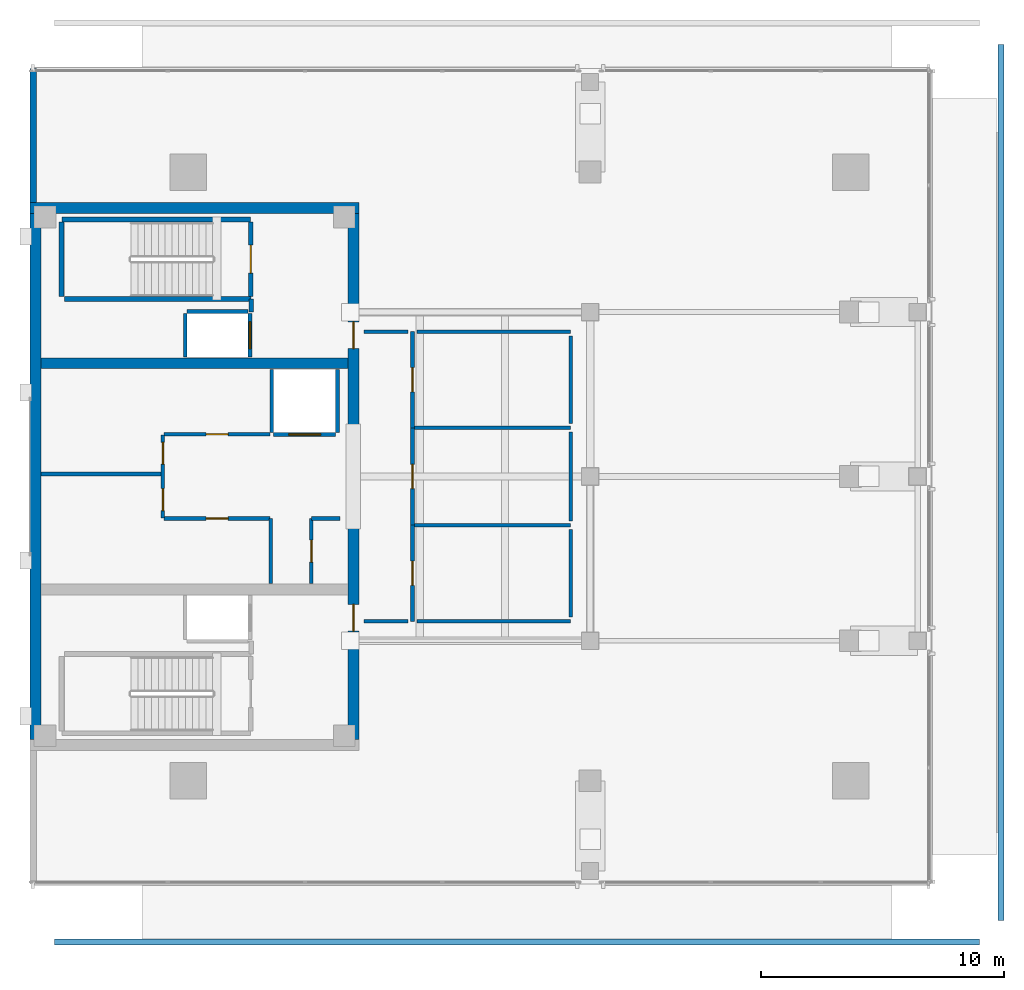
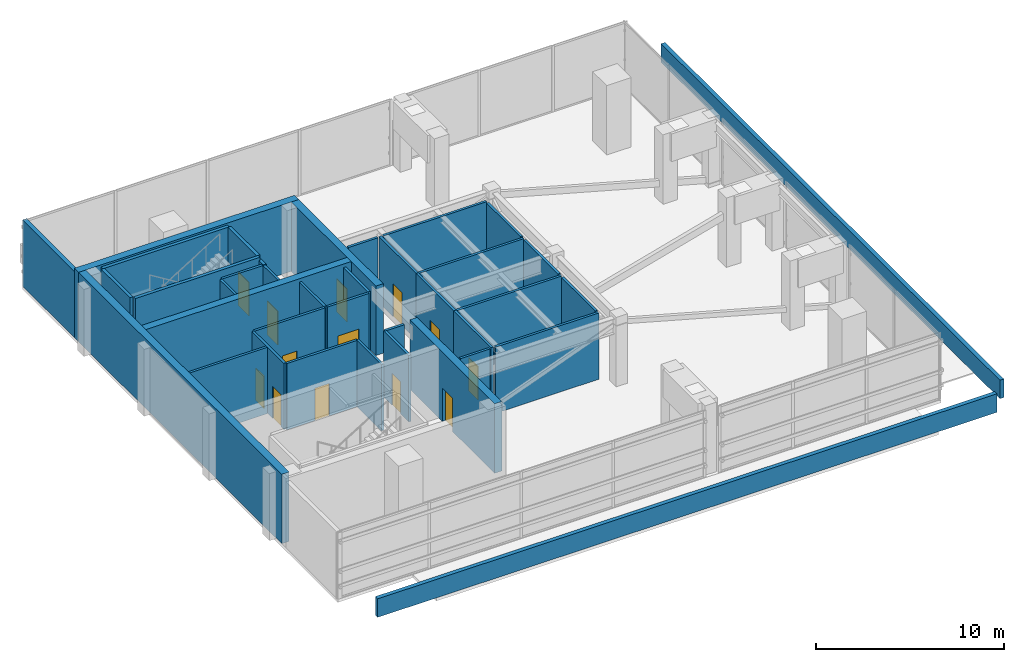
# One storey, part 8 of 13: 38 walls, 13 doors, 13 openings.
"""IFC4 building model written with IfcOpenShell, lengths in metres."""

from ifc_helpers import new_model, si_unit, direction, frame, frame_2d, origin, place, context, subcontext, project, spatial, rectangle, extrude, material, layer, layer_set, type_object, element, fill, save


model = new_model("IFC4")

# Units and contexts
model_context = context("Model", 3, precision=1e-05, world=origin(), true_north=direction((0.0, 1.0)))
body_context = subcontext(model_context, "Body", "Model", "MODEL_VIEW")
ifc_project = project(units=[si_unit("LENGTHUNIT", "METRE"), si_unit("AREAUNIT", "SQUARE_METRE"), si_unit("VOLUMEUNIT", "CUBIC_METRE"), si_unit("PLANEANGLEUNIT", "RADIAN"), si_unit("MASSUNIT", "GRAM", prefix="KILO")], contexts=[model_context])

# Site, building, storey
site_placement = place(None, origin())
site = spatial("IfcSite", under=ifc_project, at=site_placement, CompositionType="ELEMENT")
building_placement = place(site_placement, origin())
building = spatial("IfcBuilding", under=site, at=building_placement, Name="Kinhvarn Gate Tower", CompositionType="ELEMENT")
storey_placement = place(building_placement, frame((0.0, 0.0, 303.050048828125)))
storey = spatial("IfcBuildingStorey", under=building, at=storey_placement, Name="L80", CompositionType="ELEMENT", Elevation=303.050048828125)

# Wall
ifc_material_1 = material(Name="Concrete C50/60", Category="concrete")
ifc_layer_1 = layer(ifc_material_1, 0.449951171875)
ifc_layer_set_1 = layer_set([ifc_layer_1], Name="Concrete C50/60")
wall_type_1 = type_object("IfcWallType", Name="WL-CORE-450", PredefinedType="SHEAR", material=ifc_layer_set_1)
wall_1_placement = place(storey_placement, frame((4.5, 36.27490234375, 0.0), z_axis=(0.0, 0.0, 1.0), x_axis=(1.0, 0.0, 0.0)))
element("IfcWall", 1, at=wall_1_placement, inside=storey, type_object=wall_type_1, Name="Core North Shear Wall L80 450 mm", PredefinedType="SHEAR", context=body_context, shape_type="SweptSolid", body=[
    extrude(rectangle(XDim=13.5, YDim=0.449951171875, at=frame_2d((6.75, 0.0))), origin(), (0.0, 0.0, 1.0), 4.5),
])

# Wall, opening, door
wall_2_placement = place(storey_placement, frame((17.77490234375, 14.449951171875, 0.0), z_axis=(0.0, 0.0, 1.0), x_axis=(0.0, 1.0, 0.0)))
wall_2 = element("IfcWall", 2, at=wall_2_placement, inside=storey, type_object=wall_type_1, Name="Core East-South Shear Pier L80 450 mm", PredefinedType="SHEAR", context=body_context, shape_type="SweptSolid", body=[
    extrude(rectangle(XDim=9.0, YDim=0.449951171875, at=frame_2d((4.5, 0.0))), origin(), (0.0, 0.0, 1.0), 4.5),
])
opening_1_placement = place(wall_2_placement, frame((4.449951171875, 0.0, 0.0)))
opening_1 = element("IfcOpeningElement", 3, at=opening_1_placement, cuts=wall_2, Name="Opening FD-02", PredefinedType="OPENING", context=body_context, shape_type="SweptSolid", body=[
    extrude(rectangle(XDim=1.10009765625, YDim=2.14990234375, at=frame_2d((0.550048828125, 1.074951171875))), frame((0.0, 0.23486328125, 0.0), z_axis=(0.0, -1.0, 0.0), x_axis=(1.0, 0.0, 0.0)), (0.0, 0.0, 1.0), 0.469970703125),
])
ifc_material_2 = material(Name="Anodised aluminium AW-6063", Category="aluminium")
door_type_1 = type_object("IfcDoorType", Name="DR-FD-1100", OperationType="NOTDEFINED", PredefinedType="DOOR", material=ifc_material_2)
door_1_placement = place(opening_1_placement, origin())
door_1 = element("IfcDoor", 4, at=door_1_placement, inside=storey, type_object=door_type_1, Name="Firefighting Lobby Core Door (L80)", OperationType="SINGLE_SWING_RIGHT", OverallHeight=2.14990234375, OverallWidth=1.10009765625, PredefinedType="DOOR", context=body_context, shape_type="SweptSolid", body=[
    extrude(rectangle(XDim=1.10009765625, YDim=2.14990234375, at=frame_2d((0.550048828125, 1.074951171875))), frame((0.0, 0.02490234375, 0.0), z_axis=(0.0, -1.0, 0.0), x_axis=(1.0, 0.0, 0.0)), (0.0, 0.0, 1.0), 0.050048828125),
])
fill(opening_1, door_1)

wall_3_placement = place(storey_placement, frame((17.77490234375, 27.050048828125, 0.0), z_axis=(0.0, 0.0, 1.0), x_axis=(0.0, 1.0, 0.0)))
wall_3 = element("IfcWall", 5, at=wall_3_placement, inside=storey, type_object=wall_type_1, Name="Core East-North Shear Pier L80 450 mm", PredefinedType="SHEAR", context=body_context, shape_type="SweptSolid", body=[
    extrude(rectangle(XDim=9.0, YDim=0.449951171875, at=frame_2d((4.5, 0.0))), origin(), (0.0, 0.0, 1.0), 4.5),
])
opening_2_placement = place(wall_3_placement, frame((3.449951171875, 0.0, 0.0)))
opening_2 = element("IfcOpeningElement", 6, at=opening_2_placement, cuts=wall_3, Name="Opening FD-02", PredefinedType="OPENING", context=body_context, shape_type="SweptSolid", body=[
    extrude(rectangle(XDim=1.10009765625, YDim=2.14990234375, at=frame_2d((0.550048828125, 1.074951171875))), frame((0.0, 0.23486328125, 0.0), z_axis=(0.0, -1.0, 0.0), x_axis=(1.0, 0.0, 0.0)), (0.0, 0.0, 1.0), 0.469970703125),
])
door_2_placement = place(opening_2_placement, origin())
door_2 = element("IfcDoor", 7, at=door_2_placement, inside=storey, type_object=door_type_1, Name="Firefighting Lobby Core Door (L80)", OperationType="SINGLE_SWING_LEFT", OverallHeight=2.14990234375, OverallWidth=1.10009765625, PredefinedType="DOOR", context=body_context, shape_type="SweptSolid", body=[
    extrude(rectangle(XDim=1.10009765625, YDim=2.14990234375, at=frame_2d((0.550048828125, 1.074951171875))), frame((0.0, 0.02490234375, 0.0), z_axis=(0.0, -1.0, 0.0), x_axis=(1.0, 0.0, 0.0)), (0.0, 0.0, 1.0), 0.050048828125),
])
fill(opening_2, door_2)

# Walls
wall_4_placement = place(storey_placement, frame((4.949951171875, 29.89990234375, 0.0), z_axis=(0.0, 0.0, 1.0), x_axis=(1.0, 0.0, 0.0)))
element("IfcWall", 8, at=wall_4_placement, inside=storey, type_object=wall_type_1, Name="Core North Spine Shear Wall L80 450 mm", PredefinedType="SHEAR", context=body_context, shape_type="SweptSolid", body=[
    extrude(rectangle(XDim=12.60009765625, YDim=0.449951171875, at=frame_2d((6.300048828125, 0.0))), origin(), (0.0, 0.0, 1.0), 4.5),
])
ifc_layer_2 = layer(ifc_material_1, 0.449951171875)
ifc_layer_set_2 = layer_set([ifc_layer_2], Name="Concrete C50/60")
wall_type_2 = type_object("IfcWallType", Name="WL-COREX-450", PredefinedType="SHEAR", material=ifc_layer_set_2)
wall_5_placement = place(storey_placement, frame((4.72509765625, 14.449951171875, 0.0), z_axis=(0.0, 0.0, 1.0), x_axis=(0.0, 1.0, 0.0)))
element("IfcWall", 9, at=wall_5_placement, inside=storey, type_object=wall_type_2, Name="Core West Shear Wall L80 450 mm", PredefinedType="SHEAR", context=body_context, shape_type="SweptSolid", body=[
    extrude(rectangle(XDim=21.60009765625, YDim=0.449951171875, at=frame_2d((10.800048828125, 0.0))), origin(), (0.0, 0.0, 1.0), 4.5),
])
ifc_material_3 = material(Name="Fired architectural terracotta", Category="masonry")
ifc_layer_3 = layer(ifc_material_3, 0.25)
ifc_layer_set_3 = layer_set([ifc_layer_3], Name="Fired architectural terracotta")
wall_type_3 = type_object("IfcWallType", Name="WL-EXT-250", PredefinedType="SOLIDWALL", material=ifc_layer_set_3)
wall_6_placement = place(storey_placement, frame((4.625, 42.0, 0.0), z_axis=(0.0, 0.0, 1.0), x_axis=(0.0, -1.0, 0.0)))
element("IfcWall", 10, at=wall_6_placement, inside=storey, type_object=wall_type_3, Name="Exterior Solidwall Wall EW-250 (L80 West-North)", PredefinedType="SOLIDWALL", context=body_context, shape_type="SweptSolid", body=[
    extrude(rectangle(XDim=5.5, YDim=0.25, at=frame_2d((2.75, 0.0))), origin(), (0.0, 0.0, 1.0), 4.300048828125),
])
ifc_layer_4 = layer(ifc_material_3, 0.25)
ifc_layer_set_4 = layer_set([ifc_layer_4], Name="Fired architectural terracotta")
wall_type_4 = type_object("IfcWallType", Name="WL-PAR-250", PredefinedType="PARAPET", material=ifc_layer_set_4)
wall_7_placement = place(storey_placement, frame((44.375, 7.0, 0.0), z_axis=(0.0, 0.0, 1.0), x_axis=(0.0, 1.0, 0.0)))
element("IfcWall", 11, at=wall_7_placement, inside=storey, type_object=wall_type_4, Name="Exterior Parapet Wall PRW-250 (L80 Crown-Step-Parapet-E)", PredefinedType="PARAPET", context=body_context, shape_type="SweptSolid", body=[
    extrude(rectangle(XDim=36.0, YDim=0.25, at=frame_2d((18.0, 0.0))), origin(), (0.0, 0.0, 1.0), 1.199951171875),
])
wall_8_placement = place(storey_placement, frame((5.5, 6.125, 0.0), z_axis=(0.0, 0.0, 1.0), x_axis=(1.0, 0.0, 0.0)))
element("IfcWall", 12, at=wall_8_placement, inside=storey, type_object=wall_type_4, Name="Exterior Parapet Wall PRW-250 (L80 Crown-Step-Parapet-S)", PredefinedType="PARAPET", context=body_context, shape_type="SweptSolid", body=[
    extrude(rectangle(XDim=38.0, YDim=0.25, at=frame_2d((19.0, 0.0))), origin(), (0.0, 0.0, 1.0), 1.199951171875),
])
ifc_material_4 = material(Name="Gypsum acoustic partition board")
ifc_layer_5 = layer(ifc_material_4, 0.14990234375)
ifc_layer_set_5 = layer_set([ifc_layer_5], Name="Gypsum acoustic partition board")
wall_type_5 = type_object("IfcWallType", Name="WL-PRT-150F", PredefinedType="PARTITIONING", material=ifc_layer_set_5)
wall_9_placement = place(storey_placement, frame((4.949951171875, 25.35009765625, 0.0), z_axis=(0.0, 0.0, 1.0), x_axis=(1.0, 0.0, 0.0)))
element("IfcWall", 13, at=wall_9_placement, inside=storey, type_object=wall_type_5, Name="Interior Partition PW-150F (L80)", PredefinedType="PARTITIONING", context=body_context, shape_type="SweptSolid", body=[
    extrude(rectangle(XDim=5.0, YDim=0.14990234375, at=frame_2d((2.5, 0.0))), origin(), (0.0, 0.0, 1.0), 4.300048828125),
])

# Wall, openings, doors
wall_10_placement = place(storey_placement, frame((9.949951171875, 23.550048828125, 0.0), z_axis=(0.0, 0.0, 1.0), x_axis=(0.0, 1.0, 0.0)))
wall_10 = element("IfcWall", 14, at=wall_10_placement, inside=storey, type_object=wall_type_5, Name="Interior Partition PW-150F (L80)", PredefinedType="PARTITIONING", context=body_context, shape_type="SweptSolid", body=[
    extrude(rectangle(XDim=3.39990234375, YDim=0.14990234375, at=frame_2d((1.699951171875, 0.0))), origin(), (0.0, 0.0, 1.0), 4.300048828125),
])
opening_3_placement = place(wall_10_placement, frame((0.298095703125, 0.0, 0.0)))
opening_3 = element("IfcOpeningElement", 15, at=opening_3_placement, cuts=wall_10, Name="Opening FD-04", PredefinedType="OPENING", context=body_context, shape_type="SweptSolid", body=[
    extrude(rectangle(XDim=0.89990234375, YDim=2.10009765625, at=frame_2d((0.449951171875, 1.050048828125))), frame((0.0, 0.0849609375, 0.0), z_axis=(0.0, -1.0, 0.0), x_axis=(1.0, 0.0, 0.0)), (0.0, 0.0, 1.0), 0.169921875),
])
opening_4_placement = place(wall_10_placement, frame((2.201904296875, 0.0, 0.0)))
opening_4 = element("IfcOpeningElement", 16, at=opening_4_placement, cuts=wall_10, Name="Opening FD-04", PredefinedType="OPENING", context=body_context, shape_type="SweptSolid", body=[
    extrude(rectangle(XDim=0.89990234375, YDim=2.10009765625, at=frame_2d((0.449951171875, 1.050048828125))), frame((0.0, 0.0849609375, 0.0), z_axis=(0.0, -1.0, 0.0), x_axis=(1.0, 0.0, 0.0)), (0.0, 0.0, 1.0), 0.169921875),
])
door_type_2 = type_object("IfcDoorType", Name="DR-FD-900", OperationType="NOTDEFINED", PredefinedType="DOOR", material=ifc_material_2)
door_3_placement = place(opening_3_placement, origin())
door_3 = element("IfcDoor", 17, at=door_3_placement, inside=storey, type_object=door_type_2, Name="Rated Riser & Service Closet Fire Door 900x2100 mm (L80)", OperationType="SINGLE_SWING_LEFT", OverallHeight=2.10009765625, OverallWidth=0.89990234375, PredefinedType="DOOR", context=body_context, shape_type="SweptSolid", body=[
    extrude(rectangle(XDim=0.89990234375, YDim=2.10009765625, at=frame_2d((0.449951171875, 1.050048828125))), frame((0.0, 0.02490234375, 0.0), z_axis=(0.0, -1.0, 0.0), x_axis=(1.0, 0.0, 0.0)), (0.0, 0.0, 1.0), 0.050048828125),
])
fill(opening_3, door_3)
door_4_placement = place(opening_4_placement, origin())
door_4 = element("IfcDoor", 18, at=door_4_placement, inside=storey, type_object=door_type_2, Name="Rated Riser & Service Closet Fire Door 900x2100 mm (L80)", OperationType="SINGLE_SWING_RIGHT", OverallHeight=2.10009765625, OverallWidth=0.89990234375, PredefinedType="DOOR", context=body_context, shape_type="SweptSolid", body=[
    extrude(rectangle(XDim=0.89990234375, YDim=2.10009765625, at=frame_2d((0.449951171875, 1.050048828125))), frame((0.0, 0.02490234375, 0.0), z_axis=(0.0, -1.0, 0.0), x_axis=(1.0, 0.0, 0.0)), (0.0, 0.0, 1.0), 0.050048828125),
])
fill(opening_4, door_4)

# Wall, opening, door
wall_11_placement = place(storey_placement, frame((10.0, 23.52001953125, 0.0), z_axis=(0.0, 0.0, 1.0), x_axis=(1.0, 0.0, 0.0)))
wall_11 = element("IfcWall", 19, at=wall_11_placement, inside=storey, type_object=wall_type_5, Name="Interior Partition PW-150F (L80)", PredefinedType="PARTITIONING", context=body_context, shape_type="SweptSolid", body=[
    extrude(rectangle(XDim=4.35009765625, YDim=0.14990234375, at=frame_2d((2.175048828125, 0.0))), origin(), (0.0, 0.0, 1.0), 4.300048828125),
])
opening_5_placement = place(wall_11_placement, frame((1.72509765625, 0.0, 0.0)))
opening_5 = element("IfcOpeningElement", 20, at=opening_5_placement, cuts=wall_11, Name="Opening FD-04", PredefinedType="OPENING", context=body_context, shape_type="SweptSolid", body=[
    extrude(rectangle(XDim=0.89990234375, YDim=2.10009765625, at=frame_2d((0.449951171875, 1.050048828125))), frame((0.0, 0.0849609375, 0.0), z_axis=(0.0, -1.0, 0.0), x_axis=(1.0, 0.0, 0.0)), (0.0, 0.0, 1.0), 0.169921875),
])
door_5_placement = place(opening_5_placement, origin())
door_5 = element("IfcDoor", 21, at=door_5_placement, inside=storey, type_object=door_type_2, Name="Rated Riser & Service Closet Fire Door 900x2100 mm (L80)", OperationType="SINGLE_SWING_LEFT", OverallHeight=2.10009765625, OverallWidth=0.89990234375, PredefinedType="DOOR", context=body_context, shape_type="SweptSolid", body=[
    extrude(rectangle(XDim=0.89990234375, YDim=2.10009765625, at=frame_2d((0.449951171875, 1.050048828125))), frame((0.0, 0.02490234375, 0.0), z_axis=(0.0, -1.0, 0.0), x_axis=(1.0, 0.0, 0.0)), (0.0, 0.0, 1.0), 0.050048828125),
])
fill(opening_5, door_5)

wall_12_placement = place(storey_placement, frame((10.0, 26.97998046875, 0.0), z_axis=(0.0, 0.0, 1.0), x_axis=(1.0, 0.0, 0.0)))
wall_12 = element("IfcWall", 22, at=wall_12_placement, inside=storey, type_object=wall_type_5, Name="Interior Partition PW-150F (L80)", PredefinedType="PARTITIONING", context=body_context, shape_type="SweptSolid", body=[
    extrude(rectangle(XDim=4.35009765625, YDim=0.14990234375, at=frame_2d((2.175048828125, 0.0))), origin(), (0.0, 0.0, 1.0), 4.300048828125),
])
opening_6_placement = place(wall_12_placement, frame((1.72509765625, 0.0, 0.0)))
opening_6 = element("IfcOpeningElement", 23, at=opening_6_placement, cuts=wall_12, Name="Opening FD-04", PredefinedType="OPENING", context=body_context, shape_type="SweptSolid", body=[
    extrude(rectangle(XDim=0.89990234375, YDim=2.10009765625, at=frame_2d((0.449951171875, 1.050048828125))), frame((0.0, 0.0849609375, 0.0), z_axis=(0.0, -1.0, 0.0), x_axis=(1.0, 0.0, 0.0)), (0.0, 0.0, 1.0), 0.169921875),
])
door_6_placement = place(opening_6_placement, origin())
door_6 = element("IfcDoor", 24, at=door_6_placement, inside=storey, type_object=door_type_2, Name="Rated Riser & Service Closet Fire Door 900x2100 mm (L80)", OperationType="SINGLE_SWING_RIGHT", OverallHeight=2.10009765625, OverallWidth=0.89990234375, PredefinedType="DOOR", context=body_context, shape_type="SweptSolid", body=[
    extrude(rectangle(XDim=0.89990234375, YDim=2.10009765625, at=frame_2d((0.449951171875, 1.050048828125))), frame((0.0, 0.02490234375, 0.0), z_axis=(0.0, -1.0, 0.0), x_axis=(1.0, 0.0, 0.0)), (0.0, 0.0, 1.0), 0.050048828125),
])
fill(opening_6, door_6)

# Wall
wall_13_placement = place(storey_placement, frame((14.3798828125, 20.85009765625, 0.0), z_axis=(0.0, 0.0, 1.0), x_axis=(0.0, 1.0, 0.0)))
element("IfcWall", 25, at=wall_13_placement, inside=storey, type_object=wall_type_5, Name="Interior Partition PW-150F (L80)", PredefinedType="PARTITIONING", context=body_context, shape_type="SweptSolid", body=[
    extrude(rectangle(XDim=2.669921875, YDim=0.14990234375, at=frame_2d((1.3349609375, 0.0))), origin(), (0.0, 0.0, 1.0), 4.300048828125),
])

# Wall, opening, door
wall_14_placement = place(storey_placement, frame((16.050048828125, 20.85009765625, 0.0), z_axis=(0.0, 0.0, 1.0), x_axis=(0.0, 1.0, 0.0)))
wall_14 = element("IfcWall", 26, at=wall_14_placement, inside=storey, type_object=wall_type_5, Name="Interior Partition PW-150F (L80)", PredefinedType="PARTITIONING", context=body_context, shape_type="SweptSolid", body=[
    extrude(rectangle(XDim=2.669921875, YDim=0.14990234375, at=frame_2d((1.3349609375, 0.0))), origin(), (0.0, 0.0, 1.0), 4.300048828125),
])
opening_7_placement = place(wall_14_placement, frame((0.885009765625, 0.0, 0.0)))
opening_7 = element("IfcOpeningElement", 27, at=opening_7_placement, cuts=wall_14, Name="Opening FD-04", PredefinedType="OPENING", context=body_context, shape_type="SweptSolid", body=[
    extrude(rectangle(XDim=0.89990234375, YDim=2.10009765625, at=frame_2d((0.449951171875, 1.050048828125))), frame((0.0, 0.0849609375, 0.0), z_axis=(0.0, -1.0, 0.0), x_axis=(1.0, 0.0, 0.0)), (0.0, 0.0, 1.0), 0.169921875),
])
door_7_placement = place(opening_7_placement, origin())
door_7 = element("IfcDoor", 28, at=door_7_placement, inside=storey, type_object=door_type_2, Name="Rated Riser & Service Closet Fire Door 900x2100 mm (L80)", OperationType="SINGLE_SWING_LEFT", OverallHeight=2.10009765625, OverallWidth=0.89990234375, PredefinedType="DOOR", context=body_context, shape_type="SweptSolid", body=[
    extrude(rectangle(XDim=0.89990234375, YDim=2.10009765625, at=frame_2d((0.449951171875, 1.050048828125))), frame((0.0, 0.02490234375, 0.0), z_axis=(0.0, -1.0, 0.0), x_axis=(1.0, 0.0, 0.0)), (0.0, 0.0, 1.0), 0.050048828125),
])
fill(opening_7, door_7)

# Wall
wall_15_placement = place(storey_placement, frame((16.050048828125, 23.52001953125, 0.0), z_axis=(0.0, 0.0, 1.0), x_axis=(1.0, 0.0, 0.0)))
element("IfcWall", 29, at=wall_15_placement, inside=storey, type_object=wall_type_5, Name="Interior Partition PW-150F (L80)", PredefinedType="PARTITIONING", context=body_context, shape_type="SweptSolid", body=[
    extrude(rectangle(XDim=1.169921875, YDim=0.14990234375, at=frame_2d((0.5849609375, 0.0))), origin(), (0.0, 0.0, 1.0), 4.300048828125),
])

# Wall, opening, door
wall_16_placement = place(storey_placement, frame((20.199951171875, 19.300048828125, 0.0), z_axis=(0.0, 0.0, 1.0), x_axis=(0.0, 1.0, 0.0)))
wall_16 = element("IfcWall", 30, at=wall_16_placement, inside=storey, type_object=wall_type_5, Name="Interior Partition PW-150F (L80)", PredefinedType="PARTITIONING", context=body_context, shape_type="SweptSolid", body=[
    extrude(rectangle(XDim=3.949951171875, YDim=0.14990234375, at=frame_2d((1.97509765625, 0.0))), origin(), (0.0, 0.0, 1.0), 4.300048828125),
])
opening_8_placement = place(wall_16_placement, frame((1.47509765625, 0.0, 0.0)))
opening_8 = element("IfcOpeningElement", 31, at=opening_8_placement, cuts=wall_16, Name="Opening FD-03", PredefinedType="OPENING", context=body_context, shape_type="SweptSolid", body=[
    extrude(rectangle(XDim=1.0, YDim=2.14990234375, at=frame_2d((0.5, 1.074951171875))), frame((0.0, 0.0849609375, 0.0), z_axis=(0.0, -1.0, 0.0), x_axis=(1.0, 0.0, 0.0)), (0.0, 0.0, 1.0), 0.169921875),
])
door_type_3 = type_object("IfcDoorType", Name="DR-FD-1000", OperationType="NOTDEFINED", PredefinedType="DOOR", material=ifc_material_2)
door_8_placement = place(opening_8_placement, origin())
door_8 = element("IfcDoor", 32, at=door_8_placement, inside=storey, type_object=door_type_3, Name="Rated Plant & Corridor Fire Door 1000x2150 mm (L80)", OperationType="SINGLE_SWING_RIGHT", OverallHeight=2.14990234375, OverallWidth=1.0, PredefinedType="DOOR", context=body_context, shape_type="SweptSolid", body=[
    extrude(rectangle(XDim=1.0, YDim=2.14990234375, at=frame_2d((0.5, 1.074951171875))), frame((0.0, 0.02490234375, 0.0), z_axis=(0.0, -1.0, 0.0), x_axis=(1.0, 0.0, 0.0)), (0.0, 0.0, 1.0), 0.050048828125),
])
fill(opening_8, door_8)

wall_17_placement = place(storey_placement, frame((20.199951171875, 23.25, 0.0), z_axis=(0.0, 0.0, 1.0), x_axis=(0.0, 1.0, 0.0)))
wall_17 = element("IfcWall", 33, at=wall_17_placement, inside=storey, type_object=wall_type_5, Name="Interior Partition PW-150F (L80)", PredefinedType="PARTITIONING", context=body_context, shape_type="SweptSolid", body=[
    extrude(rectangle(XDim=4.0, YDim=0.14990234375, at=frame_2d((2.0, 0.0))), origin(), (0.0, 0.0, 1.0), 4.300048828125),
])
opening_9_placement = place(wall_17_placement, frame((1.5, 0.0, 0.0)))
opening_9 = element("IfcOpeningElement", 34, at=opening_9_placement, cuts=wall_17, Name="Opening FD-03", PredefinedType="OPENING", context=body_context, shape_type="SweptSolid", body=[
    extrude(rectangle(XDim=1.0, YDim=2.14990234375, at=frame_2d((0.5, 1.074951171875))), frame((0.0, 0.0849609375, 0.0), z_axis=(0.0, -1.0, 0.0), x_axis=(1.0, 0.0, 0.0)), (0.0, 0.0, 1.0), 0.169921875),
])
door_9_placement = place(opening_9_placement, origin())
door_9 = element("IfcDoor", 35, at=door_9_placement, inside=storey, type_object=door_type_3, Name="Rated Plant & Corridor Fire Door 1000x2150 mm (L80)", OperationType="SINGLE_SWING_LEFT", OverallHeight=2.14990234375, OverallWidth=1.0, PredefinedType="DOOR", context=body_context, shape_type="SweptSolid", body=[
    extrude(rectangle(XDim=1.0, YDim=2.14990234375, at=frame_2d((0.5, 1.074951171875))), frame((0.0, 0.02490234375, 0.0), z_axis=(0.0, -1.0, 0.0), x_axis=(1.0, 0.0, 0.0)), (0.0, 0.0, 1.0), 0.050048828125),
])
fill(opening_9, door_9)

wall_18_placement = place(storey_placement, frame((20.199951171875, 27.25, 0.0), z_axis=(0.0, 0.0, 1.0), x_axis=(0.0, 1.0, 0.0)))
wall_18 = element("IfcWall", 36, at=wall_18_placement, inside=storey, type_object=wall_type_5, Name="Interior Partition PW-150F (L80)", PredefinedType="PARTITIONING", context=body_context, shape_type="SweptSolid", body=[
    extrude(rectangle(XDim=3.949951171875, YDim=0.14990234375, at=frame_2d((1.97509765625, 0.0))), origin(), (0.0, 0.0, 1.0), 4.300048828125),
])
opening_10_placement = place(wall_18_placement, frame((1.47509765625, 0.0, 0.0)))
opening_10 = element("IfcOpeningElement", 37, at=opening_10_placement, cuts=wall_18, Name="Opening FD-03", PredefinedType="OPENING", context=body_context, shape_type="SweptSolid", body=[
    extrude(rectangle(XDim=1.0, YDim=2.14990234375, at=frame_2d((0.5, 1.074951171875))), frame((0.0, 0.0849609375, 0.0), z_axis=(0.0, -1.0, 0.0), x_axis=(1.0, 0.0, 0.0)), (0.0, 0.0, 1.0), 0.169921875),
])
door_10_placement = place(opening_10_placement, origin())
door_10 = element("IfcDoor", 38, at=door_10_placement, inside=storey, type_object=door_type_3, Name="Rated Plant & Corridor Fire Door 1000x2150 mm (L80)", OperationType="SINGLE_SWING_RIGHT", OverallHeight=2.14990234375, OverallWidth=1.0, PredefinedType="DOOR", context=body_context, shape_type="SweptSolid", body=[
    extrude(rectangle(XDim=1.0, YDim=2.14990234375, at=frame_2d((0.5, 1.074951171875))), frame((0.0, 0.02490234375, 0.0), z_axis=(0.0, -1.0, 0.0), x_axis=(1.0, 0.0, 0.0)), (0.0, 0.0, 1.0), 0.050048828125),
])
fill(opening_10, door_10)

# Walls
for number, where, z_axis, x_axis, name in (
    (39, (20.199951171875, 23.25, 0.0), (0.0, 0.0, 1.0), (1.0, 0.0, 0.0), "Interior Partition PW-150F (L80)"),
    (40, (20.199951171875, 27.25, 0.0), (0.0, 0.0, 1.0), (1.0, 0.0, 0.0), "Interior Partition PW-150F (L80)"),
):
    element("IfcWall", number, at=place(storey_placement, frame(where, z_axis=z_axis, x_axis=x_axis)), inside=storey, type_object=wall_type_5, Name=name, PredefinedType="PARTITIONING", context=body_context, shape_type="SweptSolid", body=[
        extrude(rectangle(XDim=6.5, YDim=0.14990234375, at=frame_2d((3.25, 0.0))), origin(), (0.0, 0.0, 1.0), 4.300048828125),
    ])
wall_19_placement = place(storey_placement, frame((26.699951171875, 19.300048828125, 0.0), z_axis=(0.0, 0.0, 1.0), x_axis=(-1.0, 0.0, 0.0)))
element("IfcWall", 41, at=wall_19_placement, inside=storey, type_object=wall_type_5, Name="Interior Partition PW-150F (L80)", PredefinedType="PARTITIONING", context=body_context, shape_type="SweptSolid", body=[
    extrude(rectangle(XDim=6.320068359375, YDim=0.14990234375, at=frame_2d((3.16015625, 0.0))), origin(), (0.0, 0.0, 1.0), 4.300048828125),
])
for number, where, z_axis, x_axis, name in (
    (42, (20.02001953125, 19.300048828125, 0.0), (0.0, 0.0, 1.0), (-1.0, 0.0, 0.0), "Interior Partition PW-150F (L80)"),
    (43, (18.219970703125, 31.199951171875, 0.0), (0.0, 0.0, 1.0), (1.0, 0.0, 0.0), "Interior Partition PW-150F (L80)"),
):
    element("IfcWall", number, at=place(storey_placement, frame(where, z_axis=z_axis, x_axis=x_axis)), inside=storey, type_object=wall_type_5, Name=name, PredefinedType="PARTITIONING", context=body_context, shape_type="SweptSolid", body=[
        extrude(rectangle(XDim=1.800048828125, YDim=0.14990234375, at=frame_2d((0.89990234375, 0.0))), origin(), (0.0, 0.0, 1.0), 4.300048828125),
    ])
wall_20_placement = place(storey_placement, frame((20.3798828125, 31.199951171875, 0.0), z_axis=(0.0, 0.0, 1.0), x_axis=(1.0, 0.0, 0.0)))
element("IfcWall", 44, at=wall_20_placement, inside=storey, type_object=wall_type_5, Name="Interior Partition PW-150F (L80)", PredefinedType="PARTITIONING", context=body_context, shape_type="SweptSolid", body=[
    extrude(rectangle(XDim=6.320068359375, YDim=0.14990234375, at=frame_2d((3.16015625, 0.0))), origin(), (0.0, 0.0, 1.0), 4.300048828125),
])
wall_21_placement = place(storey_placement, frame((26.699951171875, 31.02001953125, 0.0), z_axis=(0.0, 0.0, 1.0), x_axis=(0.0, -1.0, 0.0)))
element("IfcWall", 45, at=wall_21_placement, inside=storey, type_object=wall_type_5, Name="Interior Partition PW-150F (L80)", PredefinedType="PARTITIONING", context=body_context, shape_type="SweptSolid", body=[
    extrude(rectangle(XDim=3.590087890625, YDim=0.14990234375, at=frame_2d((1.794921875, 0.0))), origin(), (0.0, 0.0, 1.0), 4.300048828125),
])
wall_22_placement = place(storey_placement, frame((26.699951171875, 27.070068359375, 0.0), z_axis=(0.0, 0.0, 1.0), x_axis=(0.0, -1.0, 0.0)))
element("IfcWall", 46, at=wall_22_placement, inside=storey, type_object=wall_type_5, Name="Interior Partition PW-150F (L80)", PredefinedType="PARTITIONING", context=body_context, shape_type="SweptSolid", body=[
    extrude(rectangle(XDim=3.64013671875, YDim=0.14990234375, at=frame_2d((1.820068359375, 0.0))), origin(), (0.0, 0.0, 1.0), 4.300048828125),
])
wall_23_placement = place(storey_placement, frame((26.699951171875, 23.070068359375, 0.0), z_axis=(0.0, 0.0, 1.0), x_axis=(0.0, -1.0, 0.0)))
element("IfcWall", 47, at=wall_23_placement, inside=storey, type_object=wall_type_5, Name="Interior Partition PW-150F (L80)", PredefinedType="PARTITIONING", context=body_context, shape_type="SweptSolid", body=[
    extrude(rectangle(XDim=3.590087890625, YDim=0.14990234375, at=frame_2d((1.794921875, 0.0))), origin(), (0.0, 0.0, 1.0), 4.300048828125),
])
ifc_layer_6 = layer(ifc_material_4, 0.199951171875)
ifc_layer_set_6 = layer_set([ifc_layer_6], Name="Gypsum acoustic partition board")
wall_type_6 = type_object("IfcWallType", Name="WL-PRT-200", PredefinedType="PARTITIONING", material=ifc_layer_set_6)
wall_24_placement = place(storey_placement, frame((13.580078125, 32.0, 0.0), z_axis=(0.0, 0.0, 1.0), x_axis=(0.0, 1.0, 0.0)))
element("IfcWall", 48, at=wall_24_placement, inside=storey, type_object=wall_type_6, Name="Interior Partition PW-200 (L80)", PredefinedType="PARTITIONING", context=body_context, shape_type="SweptSolid", body=[
    extrude(rectangle(XDim=0.5400390625, YDim=0.199951171875, at=frame_2d((0.27001953125, 0.0))), origin(), (0.0, 0.0, 1.0), 4.300048828125),
])

# Wall, opening, door
ifc_layer_7 = layer(ifc_material_4, 0.14990234375)
ifc_layer_set_7 = layer_set([ifc_layer_7], Name="Gypsum acoustic partition board")
wall_type_7 = type_object("IfcWallType", Name="WL-SHF-150", PredefinedType="PARTITIONING", material=ifc_layer_set_7)
wall_25_placement = place(storey_placement, frame((14.5, 26.97509765625, 0.0), z_axis=(0.0, 0.0, 1.0), x_axis=(1.0, 0.0, 0.0)))
wall_25 = element("IfcWall", 49, at=wall_25_placement, inside=storey, type_object=wall_type_7, Name="Elevator SV-01 Landing Wall (L80)", PredefinedType="PARTITIONING", context=body_context, shape_type="SweptSolid", body=[
    extrude(rectangle(XDim=2.550048828125, YDim=0.14990234375, at=frame_2d((1.27490234375, 0.0))), origin(), (0.0, 0.0, 1.0), 4.300048828125),
])
opening_11_placement = place(wall_25_placement, frame((0.625, 0.0, 0.0)))
opening_11 = element("IfcOpeningElement", 50, at=opening_11_placement, cuts=wall_25, Name="Opening LD-02", PredefinedType="OPENING", context=body_context, shape_type="SweptSolid", body=[
    extrude(rectangle(XDim=1.300048828125, YDim=2.199951171875, at=frame_2d((0.64990234375, 1.10009765625))), frame((0.0, 0.0849609375, 0.0), z_axis=(0.0, -1.0, 0.0), x_axis=(1.0, 0.0, 0.0)), (0.0, 0.0, 1.0), 0.169921875),
])
door_type_4 = type_object("IfcDoorType", Name="DR-LND-SRV", OperationType="NOTDEFINED", PredefinedType="DOOR", material=ifc_material_2)
door_11_placement = place(opening_11_placement, origin())
door_11 = element("IfcDoor", 51, at=door_11_placement, inside=storey, type_object=door_type_4, Name="Elevator SV-01 Sliding Landing Door (L80)", OperationType="DOUBLE_DOOR_SLIDING", OverallHeight=2.199951171875, OverallWidth=1.300048828125, PredefinedType="DOOR", context=body_context, shape_type="SweptSolid", body=[
    extrude(rectangle(XDim=1.300048828125, YDim=2.199951171875, at=frame_2d((0.64990234375, 1.10009765625))), frame((0.0, 0.02490234375, 0.0), z_axis=(0.0, -1.0, 0.0), x_axis=(1.0, 0.0, 0.0)), (0.0, 0.0, 1.0), 0.050048828125),
])
fill(opening_11, door_11)

# Walls
for number, where, z_axis, x_axis, name in (
    (52, (14.425048828125, 27.050048828125, 0.0), (0.0, 0.0, 1.0), (0.0, 1.0, 0.0), "Elevator SV-01 Hoistway Wall W (L80)"),
    (53, (17.125, 27.050048828125, 0.0), (0.0, 0.0, 1.0), (0.0, 1.0, 0.0), "Elevator SV-01 Hoistway Wall E (L80)"),
):
    element("IfcWall", number, at=place(storey_placement, frame(where, z_axis=z_axis, x_axis=x_axis)), inside=storey, type_object=wall_type_7, Name=name, PredefinedType="PARTITIONING", context=body_context, shape_type="SweptSolid", body=[
        extrude(rectangle(XDim=2.599853515625, YDim=0.14990234375, at=frame_2d((1.2998046875, 0.0))), origin(), (0.0, 0.0, 1.0), 4.300048828125),
    ])
wall_26_placement = place(storey_placement, frame((10.949951171875, 32.02490234375, 0.0), z_axis=(0.0, 0.0, 1.0), x_axis=(1.0, 0.0, 0.0)))
element("IfcWall", 54, at=wall_26_placement, inside=storey, type_object=wall_type_7, Name="Elevator FF2 Hoistway Wall N (L80)", PredefinedType="PARTITIONING", context=body_context, shape_type="SweptSolid", body=[
    extrude(rectangle(XDim=2.5, YDim=0.14990234375, at=frame_2d((1.25, 0.0))), origin(), (0.0, 0.0, 1.0), 4.300048828125),
])
wall_27_placement = place(storey_placement, frame((10.875, 30.14990234375, 0.0), z_axis=(0.0, 0.0, 1.0), x_axis=(0.0, 1.0, 0.0)))
element("IfcWall", 55, at=wall_27_placement, inside=storey, type_object=wall_type_7, Name="Elevator FF2 Hoistway Wall W (L80)", PredefinedType="PARTITIONING", context=body_context, shape_type="SweptSolid", body=[
    extrude(rectangle(XDim=1.800048828125, YDim=0.14990234375, at=frame_2d((0.89990234375, 0.0))), origin(), (0.0, 0.0, 1.0), 4.300048828125),
])

# Wall, opening, door
wall_28_placement = place(storey_placement, frame((13.52490234375, 30.14990234375, 0.0), z_axis=(0.0, 0.0, 1.0), x_axis=(0.0, 1.0, 0.0)))
wall_28 = element("IfcWall", 56, at=wall_28_placement, inside=storey, type_object=wall_type_7, Name="Elevator FF2 Landing Wall (L80)", PredefinedType="PARTITIONING", context=body_context, shape_type="SweptSolid", body=[
    extrude(rectangle(XDim=1.800048828125, YDim=0.14990234375, at=frame_2d((0.89990234375, 0.0))), origin(), (0.0, 0.0, 1.0), 4.300048828125),
])
opening_12_placement = place(wall_28_placement, frame((0.35009765625, 0.0, 0.0)))
opening_12 = element("IfcOpeningElement", 57, at=opening_12_placement, cuts=wall_28, Name="Opening LD-03", PredefinedType="OPENING", context=body_context, shape_type="SweptSolid", body=[
    extrude(rectangle(XDim=1.10009765625, YDim=2.199951171875, at=frame_2d((0.550048828125, 1.10009765625))), frame((0.0, 0.0849609375, 0.0), z_axis=(0.0, -1.0, 0.0), x_axis=(1.0, 0.0, 0.0)), (0.0, 0.0, 1.0), 0.169921875),
])
door_type_5 = type_object("IfcDoorType", Name="DR-LND-FF", OperationType="NOTDEFINED", PredefinedType="DOOR", material=ifc_material_2)
door_12_placement = place(opening_12_placement, origin())
door_12 = element("IfcDoor", 58, at=door_12_placement, inside=storey, type_object=door_type_5, Name="Elevator FF2 Sliding Landing Door (L80)", OperationType="DOUBLE_DOOR_SLIDING", OverallHeight=2.199951171875, OverallWidth=1.10009765625, PredefinedType="DOOR", context=body_context, shape_type="SweptSolid", body=[
    extrude(rectangle(XDim=1.10009765625, YDim=2.199951171875, at=frame_2d((0.550048828125, 1.10009765625))), frame((0.0, 0.02490234375, 0.0), z_axis=(0.0, -1.0, 0.0), x_axis=(1.0, 0.0, 0.0)), (0.0, 0.0, 1.0), 0.050048828125),
])
fill(opening_12, door_12)

# Walls
ifc_material_5 = material(Name="Concrete C40/50", Category="concrete")
ifc_layer_8 = layer(ifc_material_5, 0.199951171875)
ifc_layer_set_8 = layer_set([ifc_layer_8], Name="Concrete C40/50")
wall_type_8 = type_object("IfcWallType", Name="WL-SHF-200", PredefinedType="SOLIDWALL", material=ifc_layer_set_8)
wall_29_placement = place(storey_placement, frame((5.800048828125, 35.800048828125, 0.0), z_axis=(0.0, 0.0, 1.0), x_axis=(1.0, 0.0, 0.0)))
element("IfcWall", 59, at=wall_29_placement, inside=storey, type_object=wall_type_8, Name="Stair ST2 North Shaft Wall (L80)", PredefinedType="SOLIDWALL", context=body_context, shape_type="SweptSolid", body=[
    extrude(rectangle(XDim=7.75, YDim=0.199951171875, at=frame_2d((3.875, 0.0))), origin(), (0.0, 0.0, 1.0), 4.5),
])
wall_30_placement = place(storey_placement, frame((5.7900390625, 32.64990234375, 0.0), z_axis=(0.0, 0.0, 1.0), x_axis=(0.0, 1.0, 0.0)))
element("IfcWall", 60, at=wall_30_placement, inside=storey, type_object=wall_type_8, Name="Stair ST2 West Shaft Wall (L80)", PredefinedType="SOLIDWALL", context=body_context, shape_type="SweptSolid", body=[
    extrude(rectangle(XDim=3.050048828125, YDim=0.199951171875, at=frame_2d((1.52490234375, 0.0))), origin(), (0.0, 0.0, 1.0), 4.5),
])
wall_31_placement = place(storey_placement, frame((5.89990234375, 32.5400390625, 0.0), z_axis=(0.0, 0.0, 1.0), x_axis=(1.0, 0.0, 0.0)))
element("IfcWall", 61, at=wall_31_placement, inside=storey, type_object=wall_type_8, Name="Stair ST2 South Shaft Wall (L80)", PredefinedType="SOLIDWALL", context=body_context, shape_type="SweptSolid", body=[
    extrude(rectangle(XDim=7.66015625, YDim=0.199951171875, at=frame_2d((3.830078125, 0.0))), origin(), (0.0, 0.0, 1.0), 4.5),
])

# Wall, opening, door
wall_32_placement = place(storey_placement, frame((13.56005859375, 32.64990234375, 0.0), z_axis=(0.0, 0.0, 1.0), x_axis=(0.0, 1.0, 0.0)))
wall_32 = element("IfcWall", 62, at=wall_32_placement, inside=storey, type_object=wall_type_8, Name="Stair ST2 East Entry Wall (L80)", PredefinedType="SOLIDWALL", context=body_context, shape_type="SweptSolid", body=[
    extrude(rectangle(XDim=3.050048828125, YDim=0.199951171875, at=frame_2d((1.52490234375, 0.0))), origin(), (0.0, 0.0, 1.0), 4.5),
])
opening_13_placement = place(wall_32_placement, frame((0.949951171875, 0.0, 0.0)))
opening_13 = element("IfcOpeningElement", 63, at=opening_13_placement, cuts=wall_32, Name="Opening FD-01", PredefinedType="OPENING", context=body_context, shape_type="SweptSolid", body=[
    extrude(rectangle(XDim=1.14990234375, YDim=2.14990234375, at=frame_2d((0.574951171875, 1.074951171875))), frame((0.0, 0.10986328125, 0.0), z_axis=(0.0, -1.0, 0.0), x_axis=(1.0, 0.0, 0.0)), (0.0, 0.0, 1.0), 0.219970703125),
])
door_type_6 = type_object("IfcDoorType", Name="DR-ST-1150", OperationType="NOTDEFINED", PredefinedType="DOOR", material=ifc_material_2)
door_13_placement = place(opening_13_placement, origin())
door_13 = element("IfcDoor", 64, at=door_13_placement, inside=storey, type_object=door_type_6, Name="Exit Stair ST2 Fire Door (L80)", OperationType="SINGLE_SWING_LEFT", OverallHeight=2.14990234375, OverallWidth=1.14990234375, PredefinedType="DOOR", context=body_context, shape_type="SweptSolid", body=[
    extrude(rectangle(XDim=1.14990234375, YDim=2.14990234375, at=frame_2d((0.574951171875, 1.074951171875))), frame((0.0, 0.02490234375, 0.0), z_axis=(0.0, -1.0, 0.0), x_axis=(1.0, 0.0, 0.0)), (0.0, 0.0, 1.0), 0.050048828125),
])
fill(opening_13, door_13)

save(model, "model.ifc")
